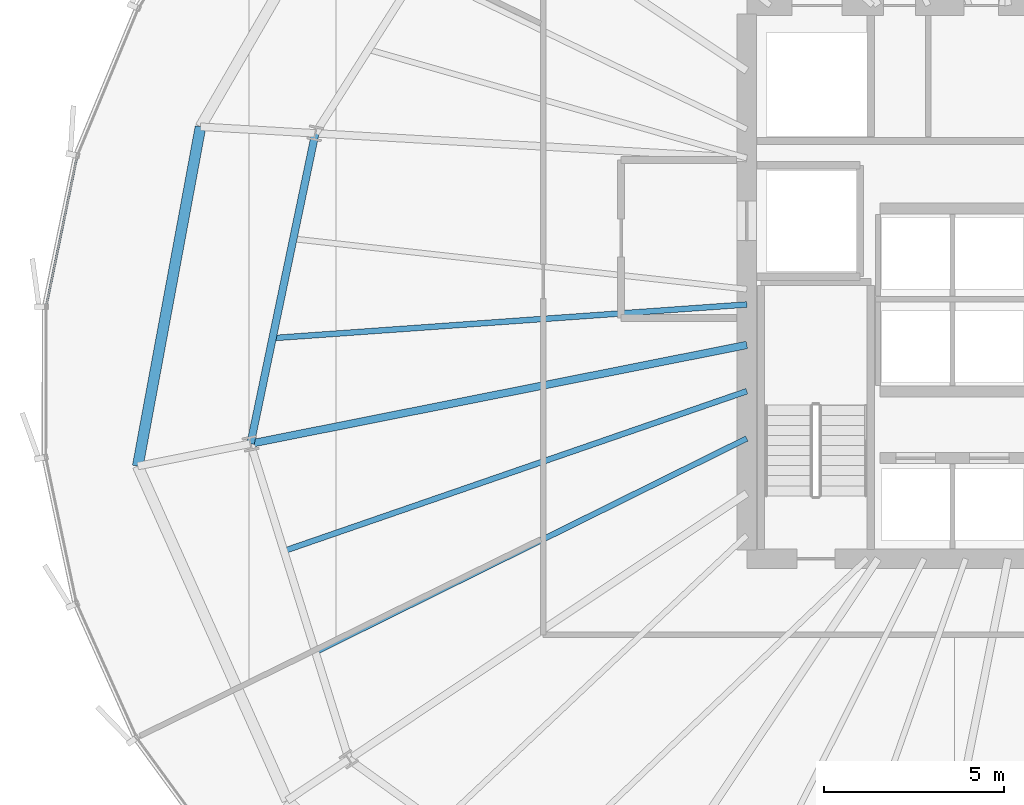
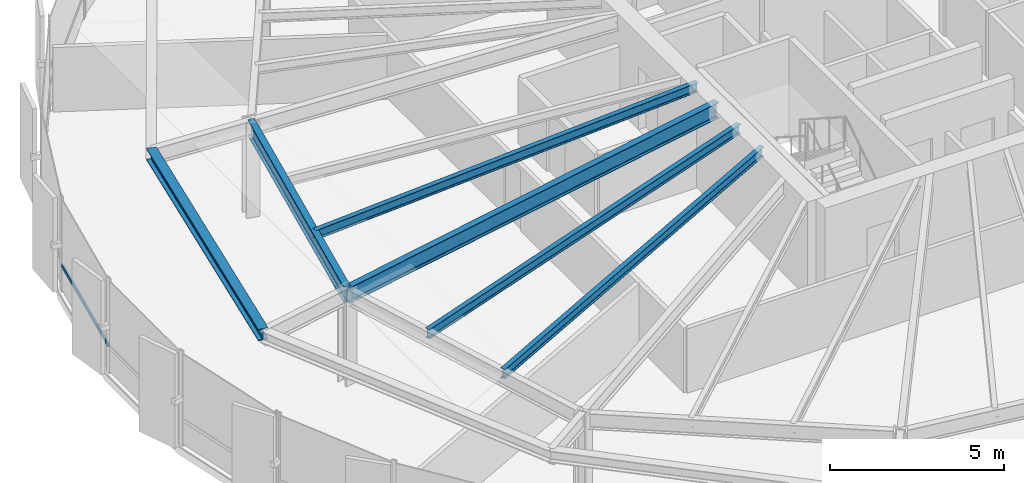
# One storey, part 9 of 35: 6 beams, 1 member, 1 element without a shape of its own.
"""IFC4 building model written with IfcOpenShell, lengths in metres."""

from ifc_helpers import new_model, si_unit, direction, frame, origin, origin_2d, place, context, subcontext, project, spatial, hollow_rectangle, i_section, extrude, source, transform, mapped, material, layer, layer_set, material_profile, profile_set, type_object, element, aggregate, save


model = new_model("IFC4")

# Units and contexts
model_context = context("Model", 3, precision=1e-05, world=origin(), true_north=direction((0.0, 1.0)))
body_context = subcontext(model_context, "Body", "Model", "MODEL_VIEW")
ifc_project = project(units=[si_unit("LENGTHUNIT", "METRE"), si_unit("AREAUNIT", "SQUARE_METRE"), si_unit("VOLUMEUNIT", "CUBIC_METRE"), si_unit("PLANEANGLEUNIT", "RADIAN"), si_unit("MASSUNIT", "GRAM", prefix="KILO"), si_unit("THERMODYNAMICTEMPERATUREUNIT", "KELVIN")], contexts=[model_context])

# Site, building, storey
site_placement = place(None, origin())
site = spatial("IfcSite", under=ifc_project, at=site_placement, CompositionType="ELEMENT")
building_placement = place(site_placement, origin())
building = spatial("IfcBuilding", under=site, at=building_placement, Name="Kethvar Cultural Tower", CompositionType="ELEMENT")
storey_placement = place(building_placement, frame((0.0, 0.0, 107.199951171875)))
storey = spatial("IfcBuildingStorey", under=building, at=storey_placement, Name="L26", CompositionType="ELEMENT", Elevation=107.199951171875)

# Beams
ifc_material_1 = material(Name="Steel S355J2", Category="steel")
ifc_material_profile_1 = material_profile(ifc_material_1, i_section(OverallWidth=0.2099609375, OverallDepth=0.550048828125, WebThickness=0.010986328125, FlangeThickness=0.01708984375, FilletRadius=0.02392578125, at=origin_2d()), Name="Steel S355J2 — IPE550")
ifc_profile_set_1 = profile_set([ifc_material_profile_1], Name="Steel S355J2 — IPE550")
beam_type_1 = type_object("IfcBeamType", Name="BM-IPE550", PredefinedType="BEAM", material=ifc_profile_set_1)
shared_shape_1 = source(origin(), body_context, "Body", "SweptSolid", [
    extrude(i_section(OverallWidth=0.2099609375, OverallDepth=0.550048828125, WebThickness=0.010986328125, FlangeThickness=0.01708984375, FilletRadius=0.02392578125, at=origin_2d()), origin(), (0.0, 0.0, 1.0), 14.085205078125),
])
beam_1_placement = place(storey_placement, frame((38.0, 26.049560546875, 3.072998046875), z_axis=(-0.98078679373, -0.195082713854, 0.0), x_axis=(0.195082713854, -0.98078679373, 0.0)))
element("IfcBeam", 1, at=beam_1_placement, inside=storey, type_object=beam_type_1, Name="L26 Primary Radial Beam RB-09", PredefinedType="BEAM", context=body_context, shape_type="MappedRepresentation", body=[
    mapped(shared_shape_1, transform((0.0, 0.0, 0.0), scale=1.0)),
])
shared_shape_2 = source(origin(), body_context, "Body", "SweptSolid", [
    extrude(i_section(OverallWidth=0.2099609375, OverallDepth=0.550048828125, WebThickness=0.010986328125, FlangeThickness=0.01708984375, FilletRadius=0.02392578125, at=origin_2d()), origin(), (0.0, 0.0, 1.0), 8.82421875),
])
beam_2_placement = place(storey_placement, frame((25.988525390625, 31.939697265625, 3.072998046875), z_axis=(-0.204350879122, -0.978897705688, 0.0), x_axis=(0.978897705688, -0.204350879122, 0.0)))
element("IfcBeam", 2, at=beam_2_placement, inside=storey, type_object=beam_type_1, Name="L26 Column Ring Tie Beam CR-08", PredefinedType="BEAM", context=body_context, shape_type="MappedRepresentation", body=[
    mapped(shared_shape_2, transform((0.0, 0.0, 0.0), scale=1.0)),
])
ifc_material_profile_2 = material_profile(ifc_material_1, i_section(OverallWidth=0.300048828125, OverallDepth=0.39990234375, WebThickness=0.013427734375, FlangeThickness=0.02392578125, FilletRadius=0.027099609375, at=origin_2d()), Name="Steel S355J2 — HEB400")
ifc_profile_set_2 = profile_set([ifc_material_profile_2], Name="Steel S355J2 — HEB400")
beam_type_2 = type_object("IfcBeamType", Name="BM-SP400", PredefinedType="SPANDREL", material=ifc_profile_set_2)
shared_shape_3 = source(origin(), body_context, "Body", "SweptSolid", [
    extrude(i_section(OverallWidth=0.300048828125, OverallDepth=0.39990234375, WebThickness=0.013427734375, FlangeThickness=0.02392578125, FilletRadius=0.027099609375, at=origin_2d()), origin(), (0.0, 0.0, 1.0), 9.605712890625),
])
beam_3_placement = place(storey_placement, frame((22.793701171875, 32.123046875, 3.14794921875), z_axis=(-0.1818526217, -0.983325797476, 0.0), x_axis=(0.983325797476, -0.1818526217, 0.0)))
element("IfcBeam", 3, at=beam_3_placement, inside=storey, type_object=beam_type_2, Name="L26 Perimeter Spandrel Beam SP-08", PredefinedType="SPANDREL", context=body_context, shape_type="MappedRepresentation", body=[
    mapped(shared_shape_3, transform((0.0, 0.0, 0.0), scale=1.0)),
])
ifc_material_profile_3 = material_profile(ifc_material_1, i_section(OverallWidth=0.159912109375, OverallDepth=0.330078125, WebThickness=0.007568359375, FlangeThickness=0.011474609375, FilletRadius=0.01806640625, at=origin_2d()), Name="Steel S355J2 — IPE330")
ifc_profile_set_3 = profile_set([ifc_material_profile_3], Name="Steel S355J2 — IPE330")
beam_type_3 = type_object("IfcBeamType", Name="BM-J330", PredefinedType="JOIST", material=ifc_profile_set_3)
shared_shape_4 = source(origin(), body_context, "Body", "SweptSolid", [
    extrude(i_section(OverallWidth=0.159912109375, OverallDepth=0.330078125, WebThickness=0.007568359375, FlangeThickness=0.011474609375, FilletRadius=0.01806640625, at=origin_2d()), origin(), (0.0, 0.0, 1.0), 13.234619140625),
])
beam_4_placement = place(storey_placement, frame((38.0, 27.175537109375, 3.18310546875), z_axis=(-0.997490530945, -0.070800004767, 0.0), x_axis=(0.070800004767, -0.997490530945, 0.0)))
element("IfcBeam", 4, at=beam_4_placement, inside=storey, type_object=beam_type_3, Name="L26 Composite Floor Joist J-08B", PredefinedType="JOIST", context=body_context, shape_type="MappedRepresentation", body=[
    mapped(shared_shape_4, transform((0.0, 0.0, 0.0), scale=1.0)),
])
shared_shape_5 = source(origin(), body_context, "Body", "SweptSolid", [
    extrude(i_section(OverallWidth=0.159912109375, OverallDepth=0.330078125, WebThickness=0.007568359375, FlangeThickness=0.011474609375, FilletRadius=0.01806640625, at=origin_2d()), origin(), (0.0, 0.0, 1.0), 13.630615234375),
])
beam_5_placement = place(storey_placement, frame((38.0, 24.762451171875, 3.18310546875), z_axis=(-0.945269577646, -0.326290400682, 0.0), x_axis=(0.326290400682, -0.945269577646, 0.0)))
element("IfcBeam", 5, at=beam_5_placement, inside=storey, type_object=beam_type_3, Name="L26 Composite Floor Joist J-09A", PredefinedType="JOIST", context=body_context, shape_type="MappedRepresentation", body=[
    mapped(shared_shape_5, transform((0.0, 0.0, 0.0), scale=1.0)),
])
shared_shape_6 = source(origin(), body_context, "Body", "SweptSolid", [
    extrude(i_section(OverallWidth=0.159912109375, OverallDepth=0.330078125, WebThickness=0.007568359375, FlangeThickness=0.011474609375, FilletRadius=0.01806640625, at=origin_2d()), origin(), (0.0, 0.0, 1.0), 13.39892578125),
])
beam_6_placement = place(storey_placement, frame((38.0, 23.44580078125, 3.18310546875), z_axis=(-0.896292467417, -0.44346342899, 0.0), x_axis=(0.44346342899, -0.896292467417, 0.0)))
element("IfcBeam", 6, at=beam_6_placement, inside=storey, type_object=beam_type_3, Name="L26 Composite Floor Joist J-09B", PredefinedType="JOIST", context=body_context, shape_type="MappedRepresentation", body=[
    mapped(shared_shape_6, transform((0.0, 0.0, 0.0), scale=1.0)),
])

# Curtain wall, member
ifc_material_2 = material(Name="Aluminium 6063-T6", Category="aluminium")
ifc_layer = layer(ifc_material_2, 0.179931640625, Name="Aluminium 6063-T6", Category="aluminium")
ifc_layer_set = layer_set([ifc_layer], Name="Aluminium 6063-T6 (180 mm)")
curtain_wall_type = type_object("IfcCurtainWallType", Name="CW-SYS-03-Z2", PredefinedType="NOTDEFINED", material=ifc_layer_set)
curtain_wall_placement = place(storey_placement, origin())
curtain_wall = element("IfcCurtainWall", 7, at=curtain_wall_placement, inside=storey, type_object=curtain_wall_type, Name="L26 Curtain Wall Run 03", PredefinedType="NOTDEFINED")
ifc_material_profile_4 = material_profile(ifc_material_2, hollow_rectangle(XDim=0.054931640625, YDim=0.1201171875, WallThickness=0.00390625, at=origin_2d()), Name="Aluminium 6063-T6 — RHS120x55x4")
ifc_profile_set_4 = profile_set([ifc_material_profile_4], Name="Aluminium 6063-T6 — RHS120x55x4")
member_type = type_object("IfcMemberType", Name="CW-SYS-03-Z2-TRN", PredefinedType="USERDEFINED", material=ifc_profile_set_4)
shared_shape_7 = source(origin(), body_context, "Body", "SweptSolid", [
    extrude(hollow_rectangle(XDim=0.054931640625, YDim=0.1201171875, WallThickness=0.00390625, at=origin_2d()), origin(), (0.0, 0.0, 1.0), 4.233154296875),
])
member_placement = place(storey_placement, frame((19.352783203125, 31.277587890625, 0.949951171875), z_axis=(-0.201625256633, -0.979462738387, 0.0), x_axis=(0.979462738387, -0.201625256633, 0.0)))
member = element("IfcMember", 8, at=member_placement, type_object=member_type, Name="CW-L26-R03 Transom 4", ObjectType="TRANSOM", PredefinedType="USERDEFINED", context=body_context, shape_type="MappedRepresentation", body=[
    mapped(shared_shape_7, transform((0.0, 0.0, 0.0), scale=1.0)),
])
aggregate(curtain_wall, [member])

save(model, "model.ifc")
